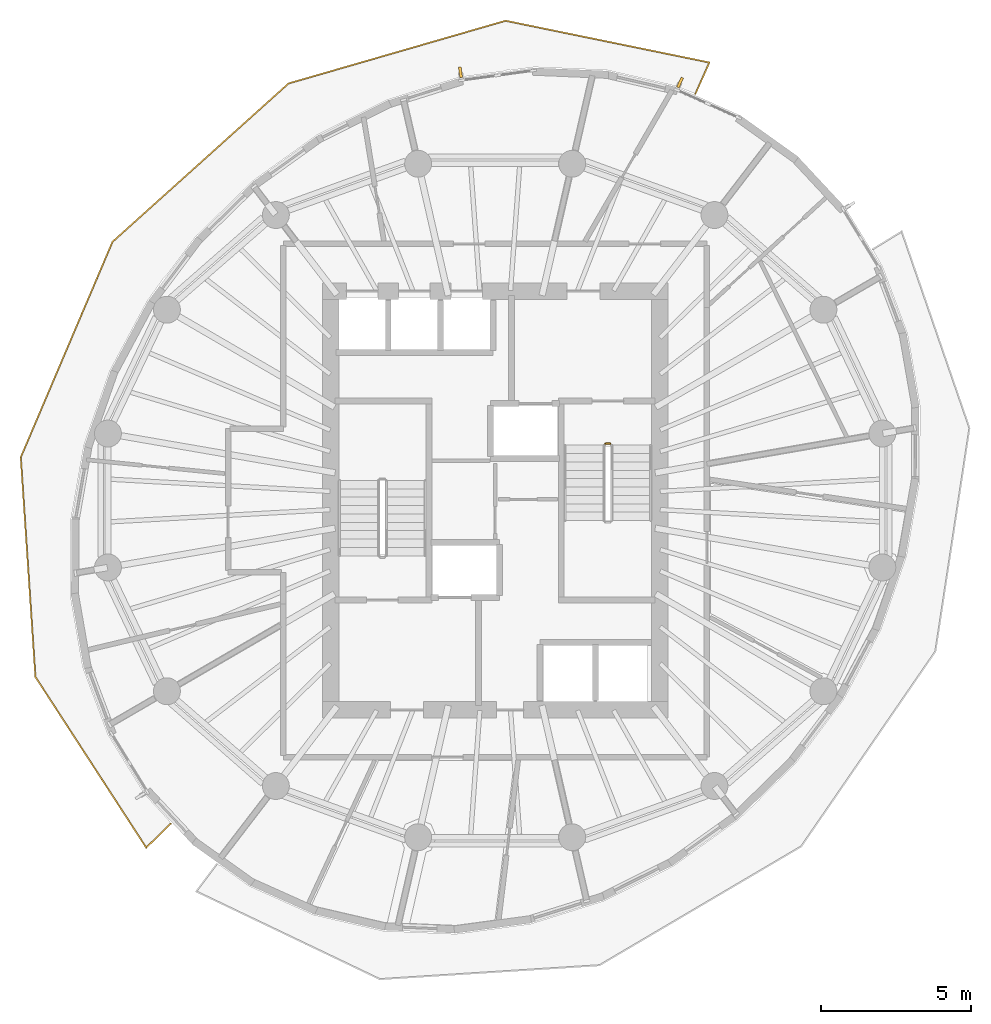
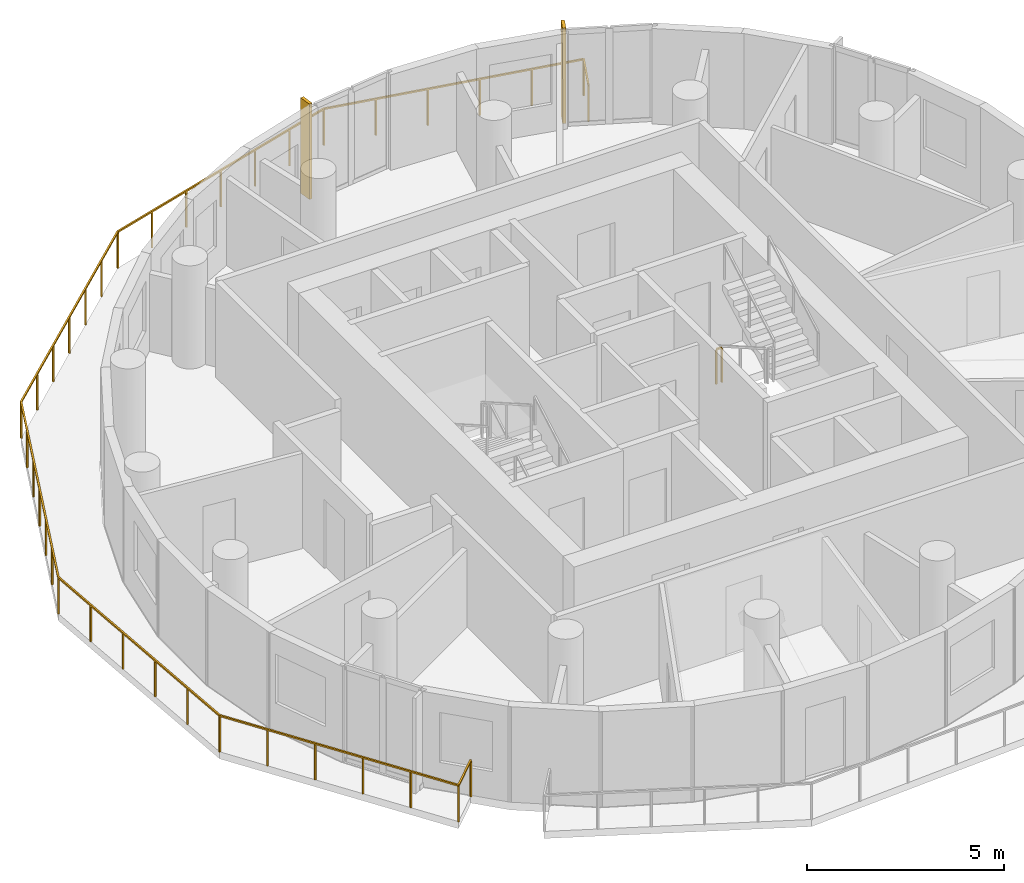
# One storey, part 9 of 10: 2 railings, 2 shading devices.
"""IFC4 building model written with IfcOpenShell, lengths in metres."""

from ifc_helpers import new_model, si_unit, direction, frame, origin, origin_2d, place, context, subcontext, project, spatial, rectangle, extrude, material, layer, layer_set, type_object, element, save


model = new_model("IFC4")

# Units and contexts
model_context = context("Model", 3, precision=1e-05, world=origin(), true_north=direction((0.0, 1.0)))
body_context = subcontext(model_context, "Body", "Model", "MODEL_VIEW")
ifc_project = project(units=[si_unit("LENGTHUNIT", "METRE"), si_unit("AREAUNIT", "SQUARE_METRE"), si_unit("VOLUMEUNIT", "CUBIC_METRE"), si_unit("PLANEANGLEUNIT", "RADIAN"), si_unit("MASSUNIT", "GRAM", prefix="KILO")], contexts=[model_context])

# Site, building, storey
site_placement = place(None, origin())
site = spatial("IfcSite", under=ifc_project, at=site_placement, CompositionType="ELEMENT")
building_placement = place(site_placement, origin())
building = spatial("IfcBuilding", under=site, at=building_placement, Name="Veldorim Arch Residences", CompositionType="ELEMENT")
storey_placement = place(building_placement, frame((0.0, 0.0, 198.239990234375)))
storey = spatial("IfcBuildingStorey", under=building, at=storey_placement, Name="L59", CompositionType="ELEMENT", Elevation=198.239990234375)

# Railings
ifc_material_1 = material(Name="Aluminium", Category="aluminium")
railing_type_1 = type_object("IfcRailingType", Name="Balcony & Terrace Laminated Glass Balustrade 1150", PredefinedType="BALUSTRADE", material=ifc_material_1)
railing_1_placement = place(storey_placement, frame((38.6943359375, 37.596923828125, 0.0)))
element("IfcRailing", 1, at=railing_1_placement, inside=storey, type_object=railing_type_1, Name="L59 crescent balcony safety balustrade A", PredefinedType="BALUSTRADE", context=body_context, shape_type="SweptSolid", body=[
    extrude(rectangle(XDim=0.048095703125, YDim=0.048095703125, at=origin_2d()), frame((0.0, 0.0, 1.1259765625), z_axis=(0.407812042378, 0.913065900191, 0.0), x_axis=(-0.913065900191, 0.407812042378, 0.0)), (0.0, 0.0, 1.0), 1.150146484375),
    extrude(rectangle(XDim=0.048095703125, YDim=0.048095703125, at=origin_2d()), frame((0.468994140625, 1.050048828125, 1.1259765625), z_axis=(-0.97963545867, 0.200784382153, 0.0), x_axis=(-0.200784382153, -0.97963545867, 0.0)), (0.0, 0.0, 1.0), 6.956298828125),
    extrude(rectangle(XDim=0.048095703125, YDim=0.048095703125, at=origin_2d()), frame((-6.345703125, 2.44677734375, 1.1259765625), z_axis=(-0.960694076147, -0.277609243464, 0.0), x_axis=(0.277609243464, -0.960694076147, 0.0)), (0.0, 0.0, 1.0), 7.55517578125),
    extrude(rectangle(XDim=0.048095703125, YDim=0.048095703125, at=origin_2d()), frame((-13.60400390625, 0.349365234375, 1.1259765625), z_axis=(-0.743455085747, -0.668785866685, 0.0), x_axis=(0.668785866685, -0.743455085747, 0.0)), (0.0, 0.0, 1.0), 7.9189453125),
    extrude(rectangle(XDim=0.048095703125, YDim=0.048095703125, at=origin_2d()), frame((-19.491455078125, -4.94677734375, 1.1259765625), z_axis=(-0.391634345347, -0.920120937456, 0.0), x_axis=(0.920120937456, -0.391634345347, 0.0)), (0.0, 0.0, 1.0), 7.83154296875),
    extrude(rectangle(XDim=0.048095703125, YDim=0.048095703125, at=origin_2d()), frame((-22.55859375, -12.15283203125, 1.1259765625), z_axis=(0.066503592508, -0.997786185605, 0.0), x_axis=(0.997786185605, 0.066503592508, 0.0)), (0.0, 0.0, 1.0), 7.35693359375),
    extrude(rectangle(XDim=0.048095703125, YDim=0.048095703125, at=origin_2d()), frame((-22.0693359375, -19.493408203125, 1.1259765625), z_axis=(0.544389574697, -0.838832516633, 0.0), x_axis=(0.838832516633, 0.544389574697, 0.0)), (0.0, 0.0, 1.0), 6.80908203125),
    extrude(rectangle(XDim=0.048095703125, YDim=0.048095703125, at=origin_2d()), frame((-18.362548828125, -25.205078125, 1.1259765625), z_axis=(0.715442809068, 0.698671301081, 0.0), x_axis=(-0.698671301081, 0.715442809068, 0.0)), (0.0, 0.0, 1.0), 1.14990234375),
    extrude(rectangle(XDim=0.0419921875, YDim=0.0419921875, at=origin_2d()), origin(), (0.0, 0.0, 1.0), 1.101806640625),
    extrude(rectangle(XDim=0.0419921875, YDim=0.0419921875, at=origin_2d()), frame((0.468994140625, 1.050048828125, 0.0)), (0.0, 0.0, 1.0), 1.101806640625),
    extrude(rectangle(XDim=0.0419921875, YDim=0.0419921875, at=origin_2d()), frame((-0.89404296875, 1.329345703125, 0.0)), (0.0, 0.0, 1.0), 1.101806640625),
    extrude(rectangle(XDim=0.0419921875, YDim=0.0419921875, at=origin_2d()), frame((-2.2568359375, 1.608642578125, 0.0)), (0.0, 0.0, 1.0), 1.101806640625),
    extrude(rectangle(XDim=0.0419921875, YDim=0.0419921875, at=origin_2d()), frame((-3.619873046875, 1.88818359375, 0.0)), (0.0, 0.0, 1.0), 1.101806640625),
    extrude(rectangle(XDim=0.0419921875, YDim=0.0419921875, at=origin_2d()), frame((-4.982666015625, 2.16748046875, 0.0)), (0.0, 0.0, 1.0), 1.101806640625),
    extrude(rectangle(XDim=0.0419921875, YDim=0.0419921875, at=origin_2d()), frame((-6.345703125, 2.44677734375, 0.0)), (0.0, 0.0, 1.0), 1.101806640625),
    extrude(rectangle(XDim=0.0419921875, YDim=0.0419921875, at=origin_2d()), frame((-7.555419921875, 2.09716796875, 0.0)), (0.0, 0.0, 1.0), 1.101806640625),
    extrude(rectangle(XDim=0.0419921875, YDim=0.0419921875, at=origin_2d()), frame((-8.76513671875, 1.74755859375, 0.0)), (0.0, 0.0, 1.0), 1.101806640625),
    extrude(rectangle(XDim=0.0419921875, YDim=0.0419921875, at=origin_2d()), frame((-9.974853515625, 1.39794921875, 0.0)), (0.0, 0.0, 1.0), 1.101806640625),
    extrude(rectangle(XDim=0.0419921875, YDim=0.0419921875, at=origin_2d()), frame((-11.1845703125, 1.048583984375, 0.0)), (0.0, 0.0, 1.0), 1.101806640625),
    extrude(rectangle(XDim=0.0419921875, YDim=0.0419921875, at=origin_2d()), frame((-12.394287109375, 0.698974609375, 0.0)), (0.0, 0.0, 1.0), 1.101806640625),
    extrude(rectangle(XDim=0.0419921875, YDim=0.0419921875, at=origin_2d()), frame((-13.60400390625, 0.349365234375, 0.0)), (0.0, 0.0, 1.0), 1.101806640625),
    extrude(rectangle(XDim=0.0419921875, YDim=0.0419921875, at=origin_2d()), frame((-14.585205078125, -0.533203125, 0.0)), (0.0, 0.0, 1.0), 1.101806640625),
    extrude(rectangle(XDim=0.0419921875, YDim=0.0419921875, at=origin_2d()), frame((-15.56640625, -1.416015625, 0.0)), (0.0, 0.0, 1.0), 1.101806640625),
    extrude(rectangle(XDim=0.0419921875, YDim=0.0419921875, at=origin_2d()), frame((-16.5478515625, -2.298828125, 0.0)), (0.0, 0.0, 1.0), 1.101806640625),
    extrude(rectangle(XDim=0.0419921875, YDim=0.0419921875, at=origin_2d()), frame((-17.529052734375, -3.181396484375, 0.0)), (0.0, 0.0, 1.0), 1.101806640625),
    extrude(rectangle(XDim=0.0419921875, YDim=0.0419921875, at=origin_2d()), frame((-18.51025390625, -4.06396484375, 0.0)), (0.0, 0.0, 1.0), 1.101806640625),
    extrude(rectangle(XDim=0.0419921875, YDim=0.0419921875, at=origin_2d()), frame((-19.491455078125, -4.94677734375, 0.0)), (0.0, 0.0, 1.0), 1.101806640625),
    extrude(rectangle(XDim=0.0419921875, YDim=0.0419921875, at=origin_2d()), frame((-20.002685546875, -6.147705078125, 0.0)), (0.0, 0.0, 1.0), 1.101806640625),
    extrude(rectangle(XDim=0.0419921875, YDim=0.0419921875, at=origin_2d()), frame((-20.513916015625, -7.348876953125, 0.0)), (0.0, 0.0, 1.0), 1.101806640625),
    extrude(rectangle(XDim=0.0419921875, YDim=0.0419921875, at=origin_2d()), frame((-21.02490234375, -8.5498046875, 0.0)), (0.0, 0.0, 1.0), 1.101806640625),
    extrude(rectangle(XDim=0.0419921875, YDim=0.0419921875, at=origin_2d()), frame((-21.5361328125, -9.750732421875, 0.0)), (0.0, 0.0, 1.0), 1.101806640625),
    extrude(rectangle(XDim=0.0419921875, YDim=0.0419921875, at=origin_2d()), frame((-22.04736328125, -10.951904296875, 0.0)), (0.0, 0.0, 1.0), 1.101806640625),
    extrude(rectangle(XDim=0.0419921875, YDim=0.0419921875, at=origin_2d()), frame((-22.55859375, -12.15283203125, 0.0)), (0.0, 0.0, 1.0), 1.101806640625),
    extrude(rectangle(XDim=0.0419921875, YDim=0.0419921875, at=origin_2d()), frame((-22.460693359375, -13.620849609375, 0.0)), (0.0, 0.0, 1.0), 1.101806640625),
    extrude(rectangle(XDim=0.0419921875, YDim=0.0419921875, at=origin_2d()), frame((-22.36279296875, -15.089111328125, 0.0)), (0.0, 0.0, 1.0), 1.101806640625),
    extrude(rectangle(XDim=0.0419921875, YDim=0.0419921875, at=origin_2d()), frame((-22.26513671875, -16.55712890625, 0.0)), (0.0, 0.0, 1.0), 1.101806640625),
    extrude(rectangle(XDim=0.0419921875, YDim=0.0419921875, at=origin_2d()), frame((-22.167236328125, -18.025390625, 0.0)), (0.0, 0.0, 1.0), 1.101806640625),
    extrude(rectangle(XDim=0.0419921875, YDim=0.0419921875, at=origin_2d()), frame((-22.0693359375, -19.493408203125, 0.0)), (0.0, 0.0, 1.0), 1.101806640625),
    extrude(rectangle(XDim=0.0419921875, YDim=0.0419921875, at=origin_2d()), frame((-21.327880859375, -20.6357421875, 0.0)), (0.0, 0.0, 1.0), 1.101806640625),
    extrude(rectangle(XDim=0.0419921875, YDim=0.0419921875, at=origin_2d()), frame((-20.586669921875, -21.778076171875, 0.0)), (0.0, 0.0, 1.0), 1.101806640625),
    extrude(rectangle(XDim=0.0419921875, YDim=0.0419921875, at=origin_2d()), frame((-19.84521484375, -22.92041015625, 0.0)), (0.0, 0.0, 1.0), 1.101806640625),
    extrude(rectangle(XDim=0.0419921875, YDim=0.0419921875, at=origin_2d()), frame((-19.10400390625, -24.062744140625, 0.0)), (0.0, 0.0, 1.0), 1.101806640625),
    extrude(rectangle(XDim=0.0419921875, YDim=0.0419921875, at=origin_2d()), frame((-18.362548828125, -25.205078125, 0.0)), (0.0, 0.0, 1.0), 1.101806640625),
    extrude(rectangle(XDim=0.0419921875, YDim=0.0419921875, at=origin_2d()), frame((-17.539794921875, -24.401611328125, 0.0)), (0.0, 0.0, 1.0), 1.101806640625),
])
ifc_material_2 = material(Name="Steel S355", Category="steel")
railing_type_2 = type_object("IfcRailingType", Name="Galvanised Steel Stair Safety Guardrail 1100", PredefinedType="GUARDRAIL", material=ifc_material_2)
railing_2_placement = place(storey_placement, frame((35.68994140625, 25.89990234375, 0.0)))
element("IfcRailing", 2, at=railing_2_placement, inside=storey, type_object=railing_type_2, Name="L59 ST-2 stair guard 4", PredefinedType="GUARDRAIL", context=body_context, shape_type="SweptSolid", body=[
    extrude(rectangle(XDim=0.048095703125, YDim=0.048095703125, at=origin_2d()), frame((0.0, 0.0, 1.076171875), z_axis=(1.0, 0.0, 0.0), x_axis=(0.0, 1.0, 0.0)), (0.0, 0.0, 1.0), 0.16015625),
    extrude(rectangle(XDim=0.0419921875, YDim=0.0419921875, at=origin_2d()), origin(), (0.0, 0.0, 1.0), 1.052001953125),
    extrude(rectangle(XDim=0.0419921875, YDim=0.0419921875, at=origin_2d()), frame((0.16015625, 0.0, 0.0)), (0.0, 0.0, 1.0), 1.052001953125),
])

# Shading devices
ifc_material_3 = material(Name="Terracotta Ceramic", Category="masonry")
ifc_layer = layer(ifc_material_3, 0.090087890625, Name="Vertical Extruded Terracotta Baguette Sun-Shading Fin")
ifc_layer_set = layer_set([ifc_layer], Name="Terracotta Ceramic")
shading_device_type = type_object("IfcShadingDeviceType", Name="Vertical Extruded Terracotta Baguette Sun-Shading Fin", PredefinedType="USERDEFINED", material=ifc_layer_set)
for number, where, z_axis, x_axis, name in (
    (3, (38.18310546875, 37.975341796875, 0.0), (0.0, 0.0, 1.0), (0.912477494148, -0.409126902895, 0.0), "L59 vertical terracotta sun-shading fin 02"),
    (4, (30.841552734375, 38.318115234375, 0.0), (0.0, 0.0, 1.0), (0.990959799621, 0.134159142573, 0.0), "L59 vertical terracotta sun-shading fin 05"),
):
    element("IfcShadingDevice", number, at=place(storey_placement, frame(where, z_axis=z_axis, x_axis=x_axis)), inside=storey, type_object=shading_device_type, Name=name, ObjectType="FIN", PredefinedType="USERDEFINED", context=body_context, shape_type="SweptSolid", body=[
        extrude(rectangle(XDim=0.090087890625, YDim=0.360107421875, at=origin_2d()), origin(), (0.0, 0.0, 1.0), 2.9599609375),
    ])

save(model, "model.ifc")
